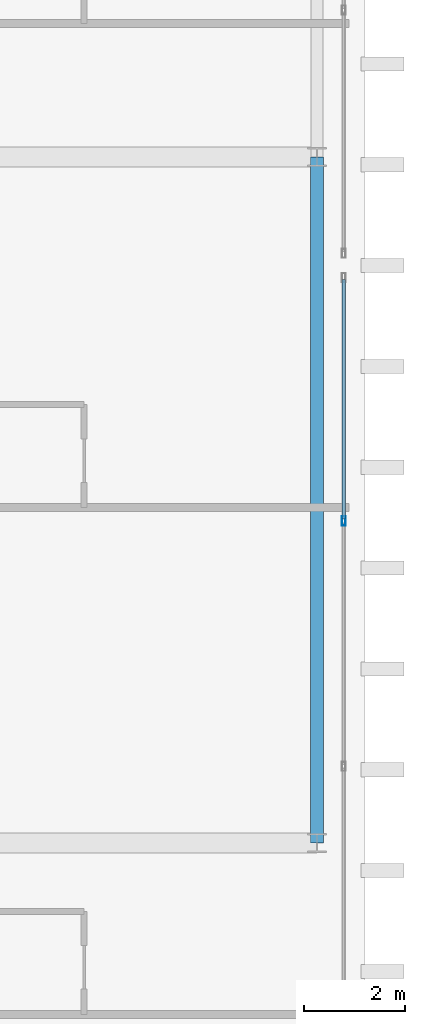
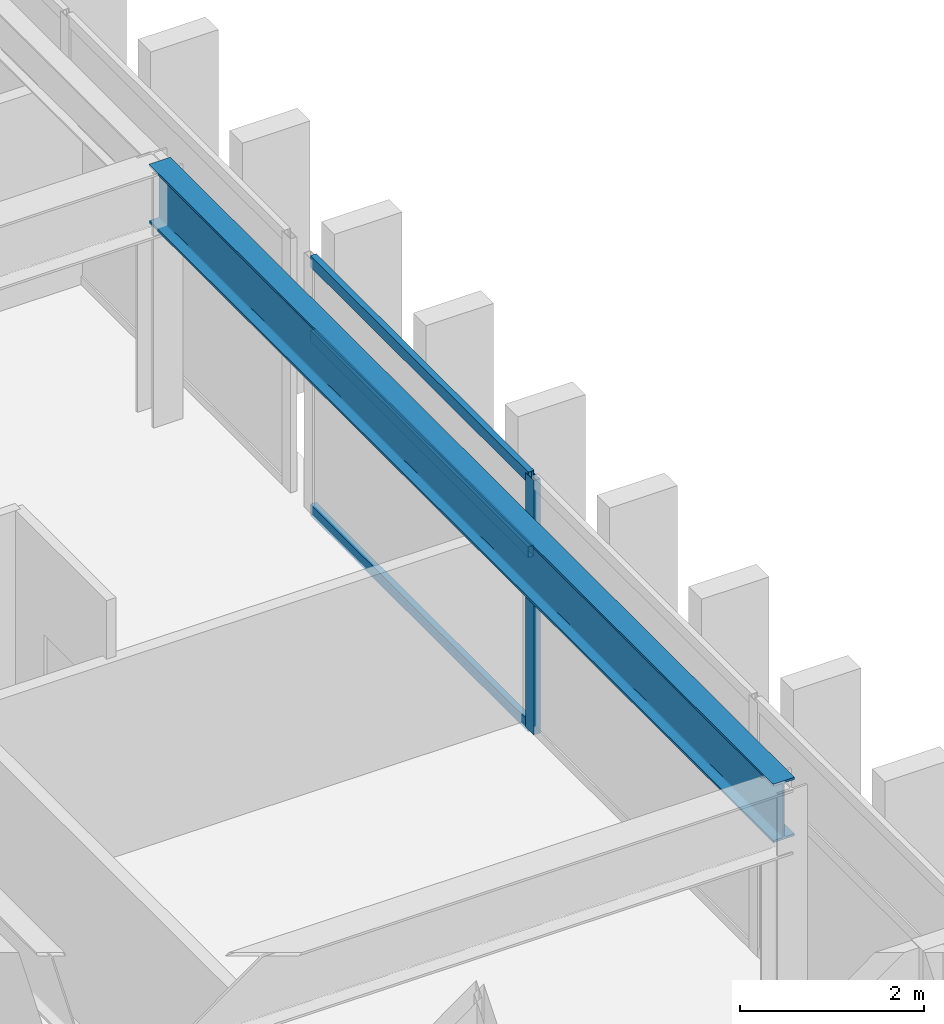
# One storey, part 5 of 15: 4 members, 1 beam, 1 element without a shape of its own.
"""IFC4 building model written with IfcOpenShell, lengths in metres."""

from ifc_helpers import new_model, si_unit, direction, frame, origin, origin_2d, place, context, subcontext, project, spatial, hollow_rectangle, i_section, extrude, source, transform, mapped, material, layer, layer_set, material_profile, profile_set, type_object, element, aggregate, save


model = new_model("IFC4")

# Units and contexts
model_context = context("Model", 3, precision=1e-05, world=origin(), true_north=direction((0.0, 1.0)))
body_context = subcontext(model_context, "Body", "Model", "MODEL_VIEW")
ifc_project = project(units=[si_unit("LENGTHUNIT", "METRE"), si_unit("AREAUNIT", "SQUARE_METRE"), si_unit("VOLUMEUNIT", "CUBIC_METRE"), si_unit("PLANEANGLEUNIT", "RADIAN"), si_unit("MASSUNIT", "GRAM", prefix="KILO")], contexts=[model_context])

# Site, building, storey
site_placement = place(None, origin())
site = spatial("IfcSite", under=ifc_project, at=site_placement, CompositionType="ELEMENT")
building_placement = place(site_placement, origin())
building = spatial("IfcBuilding", under=site, at=building_placement, Name="Ocotamira Hotel", CompositionType="ELEMENT")
storey_placement = place(building_placement, frame((0.0, 0.0, 279.60009765625)))
storey = spatial("IfcBuildingStorey", under=building, at=storey_placement, Name="L71", CompositionType="ELEMENT", Elevation=279.60009765625)

# Beam
ifc_material_1 = material(Name="Steel ASTM A992 Grade 50", Category="steel")
ifc_material_profile_1 = material_profile(ifc_material_1, i_section(OverallWidth=0.26611328125, OverallDepth=0.779052734375, WebThickness=0.0166015625, FlangeThickness=0.030029296875, FilletRadius=0.01806640625, at=origin_2d()), Name="W30X148")
ifc_profile_set_1 = profile_set([ifc_material_profile_1], Name="Steel ASTM A992 Grade 50")
beam_type = type_object("IfcBeamType", Name="BM-GIRD-W30X148", PredefinedType="BEAM", material=ifc_profile_set_1)
shared_shape_1 = source(origin(), body_context, "Body", "SweptSolid", [
    extrude(i_section(OverallWidth=0.26611328125, OverallDepth=0.779052734375, WebThickness=0.0166015625, FlangeThickness=0.030029296875, FilletRadius=0.01806640625, at=origin_2d()), origin(), (0.0, 0.0, 1.0), 13.599853515625),
])
beam_placement = place(storey_placement, frame((32.050048828125, 14.550048828125, 2.990478515625), z_axis=(0.0, 1.0, 0.0), x_axis=(-1.0, 0.0, 0.0)))
element("IfcBeam", 1, at=beam_placement, inside=storey, type_object=beam_type, Name="L71 Beam X32.05 Y14.55-28.15", PredefinedType="BEAM", context=body_context, shape_type="MappedRepresentation", body=[
    mapped(shared_shape_1, transform((0.0, 0.0, 0.0), scale=1.0)),
])

# Curtain wall, members
ifc_material_2 = material(Name="Anodised pale-metal aluminium and solar glass", Category="aluminium")
ifc_layer = layer(ifc_material_2, 0.2099609375)
ifc_layer_set = layer_set([ifc_layer], Name="Anodised pale-metal aluminium and solar glass")
curtain_wall_type = type_object("IfcCurtainWallType", Name="CW-SYS7-PEAK", PredefinedType="NOTDEFINED", material=ifc_layer_set)
curtain_wall_placement = place(storey_placement, origin())
curtain_wall = element("IfcCurtainWall", 2, at=curtain_wall_placement, inside=storey, type_object=curtain_wall_type, Name="L71 Curtain Wall CW-7 CW-L71-E1", PredefinedType="NOTDEFINED")
ifc_material_3 = material(Name="Anodised pale-metal aluminium 6063-T6", Category="aluminium")
ifc_material_profile_2 = material_profile(ifc_material_3, hollow_rectangle(XDim=0.080078125, YDim=0.179931640625, WallThickness=0.006103515625, at=origin_2d()), Name="HSS180X80X6")
ifc_profile_set_2 = profile_set([ifc_material_profile_2], Name="Anodised pale-metal aluminium 6063-T6")
member_type_1 = type_object("IfcMemberType", Name="CWM-180X75", PredefinedType="MULLION", material=ifc_profile_set_2)
shared_shape_2 = source(origin(), body_context, "Body", "SweptSolid", [
    extrude(hollow_rectangle(XDim=0.080078125, YDim=0.179931640625, WallThickness=0.006103515625, at=origin_2d()), origin(), (0.0, 0.0, 1.0), 3.3798828125),
])
member_1_placement = place(storey_placement, frame((32.580078125, 20.933349609375, 0.0), z_axis=(0.0, 0.0, 1.0), x_axis=(-1.0, 0.0, 0.0)))
member_1 = element("IfcMember", 3, at=member_1_placement, type_object=member_type_1, Name="CW-7 mullion 3", PredefinedType="MULLION", context=body_context, shape_type="MappedRepresentation", body=[
    mapped(shared_shape_2, transform((0.0, 0.0, 0.0), scale=1.0)),
])
ifc_material_profile_3 = material_profile(ifc_material_3, hollow_rectangle(XDim=0.074951171875, YDim=0.14990234375, WallThickness=0.006103515625, at=origin_2d()), Name="HSS150X75X6")
ifc_profile_set_3 = profile_set([ifc_material_profile_3], Name="Anodised pale-metal aluminium 6063-T6")
member_type_2 = type_object("IfcMemberType", Name="CWT-150X75", PredefinedType="USERDEFINED", material=ifc_profile_set_3)
shared_shape_3 = source(origin(), body_context, "Body", "SweptSolid", [
    extrude(hollow_rectangle(XDim=0.074951171875, YDim=0.14990234375, WallThickness=0.006103515625, at=origin_2d()), origin(), (0.0, 0.0, 1.0), 4.74658203125),
])
member_2_placement = place(storey_placement, frame((32.580078125, 20.973388671875, 0.037353515625), z_axis=(0.0, 1.0, 0.0), x_axis=(-1.0, 0.0, 0.0)))
member_2 = element("IfcMember", 4, at=member_2_placement, type_object=member_type_2, Name="CW-7 transom 3.1", ObjectType="TRANSOM", PredefinedType="USERDEFINED", context=body_context, shape_type="MappedRepresentation", body=[
    mapped(shared_shape_3, transform((0.0, 0.0, 0.0), scale=1.0)),
])
member_3_placement = place(storey_placement, frame((32.580078125, 20.973388671875, 2.349853515625), z_axis=(0.0, 1.0, 0.0), x_axis=(-1.0, 0.0, 0.0)))
member_3 = element("IfcMember", 5, at=member_3_placement, type_object=member_type_2, Name="CW-7 transom 3.2", ObjectType="TRANSOM", PredefinedType="USERDEFINED", context=body_context, shape_type="MappedRepresentation", body=[
    mapped(shared_shape_3, transform((0.0, 0.0, 0.0), scale=1.0)),
])
member_4_placement = place(storey_placement, frame((32.580078125, 20.973388671875, 3.34228515625), z_axis=(0.0, 1.0, 0.0), x_axis=(-1.0, 0.0, 0.0)))
member_4 = element("IfcMember", 6, at=member_4_placement, type_object=member_type_2, Name="CW-7 transom 3.3", ObjectType="TRANSOM", PredefinedType="USERDEFINED", context=body_context, shape_type="MappedRepresentation", body=[
    mapped(shared_shape_3, transform((0.0, 0.0, 0.0), scale=1.0)),
])
aggregate(curtain_wall, [member_1, member_2, member_3, member_4])

save(model, "model.ifc")
